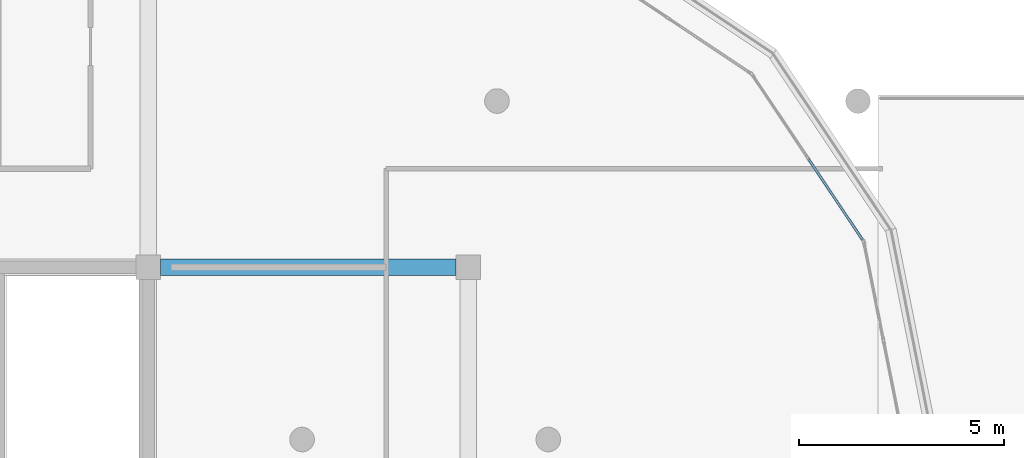
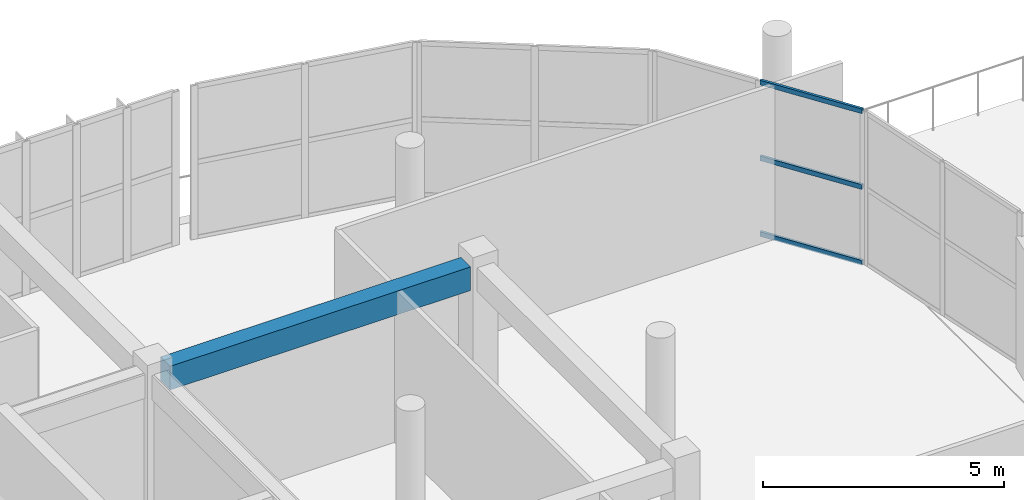
# One storey, part 27 of 50: 3 members, 1 beam, 1 element without a shape of its own.
"""IFC4 building model written with IfcOpenShell, lengths in metres."""

from ifc_helpers import new_model, si_unit, direction, frame, origin, origin_2d, place, context, subcontext, project, spatial, rectangle, hollow_rectangle, extrude, material, layer, layer_set, material_profile, profile_set, type_object, element, aggregate, save


model = new_model("IFC4")

# Units and contexts
model_context = context("Model", 3, precision=1e-05, world=origin(), true_north=direction((0.0, 1.0)))
body_context = subcontext(model_context, "Body", "Model", "MODEL_VIEW")
ifc_project = project(units=[si_unit("LENGTHUNIT", "METRE"), si_unit("AREAUNIT", "SQUARE_METRE"), si_unit("VOLUMEUNIT", "CUBIC_METRE"), si_unit("PLANEANGLEUNIT", "RADIAN"), si_unit("MASSUNIT", "GRAM", prefix="KILO")], contexts=[model_context])

# Site, building, storey
site_placement = place(None, origin())
site = spatial("IfcSite", under=ifc_project, at=site_placement, CompositionType="ELEMENT")
building_placement = place(site_placement, origin())
building = spatial("IfcBuilding", under=site, at=building_placement, Name="Zizhar Promenade General Hospital", CompositionType="ELEMENT")
storey_placement = place(building_placement, frame((0.0, 0.0, 30.60009765625)))
storey = spatial("IfcBuildingStorey", under=building, at=storey_placement, Name="L07", CompositionType="ELEMENT", Elevation=30.60009765625)

# Beam
ifc_material_1 = material(Name="Concrete C35/45", Category="concrete")
ifc_material_profile_1 = material_profile(ifc_material_1, rectangle(XDim=0.39990234375, YDim=0.60009765625, at=origin_2d()))
ifc_profile_set_1 = profile_set([ifc_material_profile_1], Name="Concrete C35/45")
beam_type = type_object("IfcBeamType", Name="BM-RC-400x600", PredefinedType="JOIST", material=ifc_profile_set_1)
beam_placement = place(storey_placement, frame((101.699951171875, 16.800048828125, 3.60986328125), z_axis=(1.0, 0.0, 0.0), x_axis=(0.0, 1.0, 0.0)))
element("IfcBeam", 1, at=beam_placement, inside=storey, type_object=beam_type, Name="Grid Beam X L07 (13-2)", PredefinedType="JOIST", context=body_context, shape_type="SweptSolid", body=[
    extrude(rectangle(XDim=0.39990234375, YDim=0.60009765625, at=origin_2d()), origin(), (0.0, 0.0, 1.0), 7.199951171875),
])

# Curtain wall, members
ifc_material_2 = material(Name="Anodised aluminium 6063-T6 and low-E glass", Category="aluminium")
ifc_layer = layer(ifc_material_2, 0.159912109375)
ifc_layer_set = layer_set([ifc_layer], Name="Anodised aluminium 6063-T6 and low-E glass")
curtain_wall_type = type_object("IfcCurtainWallType", Name="CW-WARD-ARC", PredefinedType="NOTDEFINED", material=ifc_layer_set)
curtain_wall_placement = place(storey_placement, origin())
curtain_wall = element("IfcCurtainWall", 2, at=curtain_wall_placement, inside=storey, type_object=curtain_wall_type, Name="Ward Semicircular End Glazing L07-06", PredefinedType="NOTDEFINED")
ifc_material_3 = material(Name="Anodised aluminium 6063-T6", Category="aluminium")
ifc_material_profile_2 = material_profile(ifc_material_3, hollow_rectangle(XDim=0.06005859375, YDim=0.1201171875, WallThickness=0.00390625, at=origin_2d()))
ifc_profile_set_2 = profile_set([ifc_material_profile_2], Name="Anodised aluminium 6063-T6")
member_type = type_object("IfcMemberType", Name="CWT-ALU-120x60", PredefinedType="USERDEFINED", material=ifc_profile_set_2)
member_1_placement = place(storey_placement, frame((117.491943359375, 19.440673828125, 0.02978515625), z_axis=(0.555580160396, -0.831462978956, 0.0), x_axis=(0.831462978956, 0.555580160396, 0.0)))
member_1 = element("IfcMember", 3, at=member_1_placement, type_object=member_type, Name="CW-12 transom 2.1", ObjectType="TRANSOM", PredefinedType="USERDEFINED", context=body_context, shape_type="SweptSolid", body=[
    extrude(hollow_rectangle(XDim=0.06005859375, YDim=0.1201171875, WallThickness=0.00390625, at=origin_2d()), origin(), (0.0, 0.0, 1.0), 2.3681640625),
])
member_2_placement = place(storey_placement, frame((117.491943359375, 19.440673828125, 1.949951171875), z_axis=(0.555580160396, -0.831462978956, 0.0), x_axis=(0.831462978956, 0.555580160396, 0.0)))
member_2 = element("IfcMember", 4, at=member_2_placement, type_object=member_type, Name="CW-12 transom 2.2", ObjectType="TRANSOM", PredefinedType="USERDEFINED", context=body_context, shape_type="SweptSolid", body=[
    extrude(hollow_rectangle(XDim=0.06005859375, YDim=0.1201171875, WallThickness=0.00390625, at=origin_2d()), origin(), (0.0, 0.0, 1.0), 2.3681640625),
])
member_3_placement = place(storey_placement, frame((117.491943359375, 19.440673828125, 3.869873046875), z_axis=(0.555580160396, -0.831462978956, 0.0), x_axis=(0.831462978956, 0.555580160396, 0.0)))
member_3 = element("IfcMember", 5, at=member_3_placement, type_object=member_type, Name="CW-12 transom 2.3", ObjectType="TRANSOM", PredefinedType="USERDEFINED", context=body_context, shape_type="SweptSolid", body=[
    extrude(hollow_rectangle(XDim=0.06005859375, YDim=0.1201171875, WallThickness=0.00390625, at=origin_2d()), origin(), (0.0, 0.0, 1.0), 2.3681640625),
])
aggregate(curtain_wall, [member_1, member_2, member_3])

save(model, "model.ifc")
